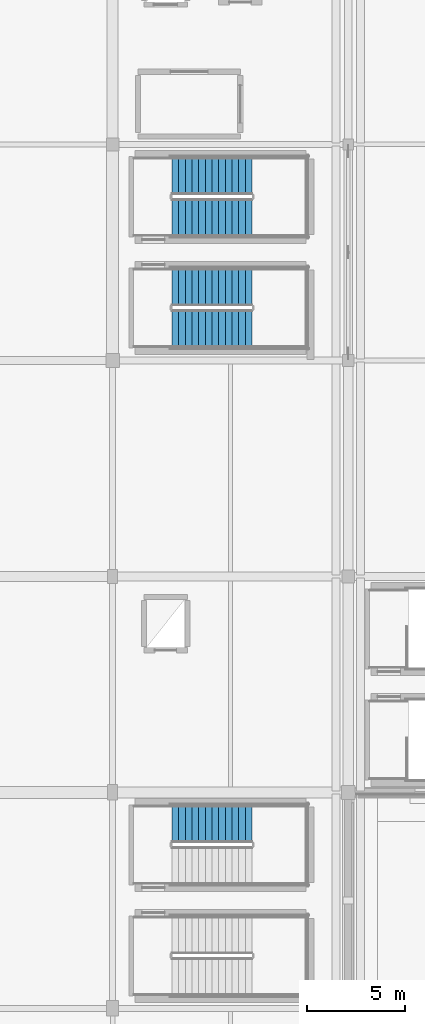
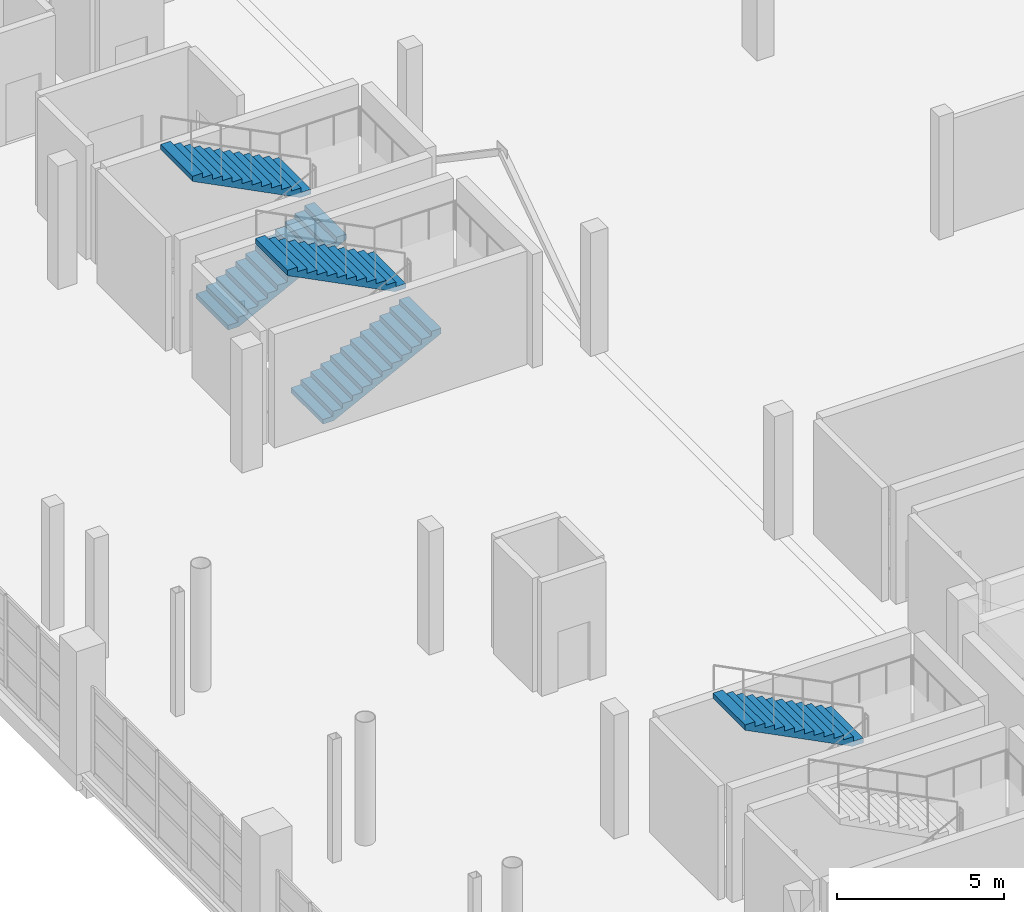
# One storey, part 90 of 118: 5 stair flights, 3 elements without a shape of their own.
"""IFC4 building model written with IfcOpenShell, lengths in metres."""

from ifc_helpers import new_model, si_unit, direction, frame, origin, place, context, subcontext, project, spatial, polyline, outline, extrude, material, layer, layer_set, type_object, element, aggregate, save


model = new_model("IFC4")

# Units and contexts
model_context = context("Model", 3, precision=1e-05, world=origin(), true_north=direction((0.0, 1.0)))
body_context = subcontext(model_context, "Body", "Model", "MODEL_VIEW")
ifc_project = project(units=[si_unit("LENGTHUNIT", "METRE"), si_unit("AREAUNIT", "SQUARE_METRE"), si_unit("VOLUMEUNIT", "CUBIC_METRE"), si_unit("PLANEANGLEUNIT", "RADIAN"), si_unit("MASSUNIT", "GRAM", prefix="KILO")], contexts=[model_context])

# Site, building, storey
site_placement = place(None, origin())
site = spatial("IfcSite", under=ifc_project, at=site_placement, CompositionType="ELEMENT")
building_placement = place(site_placement, origin())
building = spatial("IfcBuilding", under=site, at=building_placement, Name="Luwafu Chhajja Arena", CompositionType="ELEMENT")
storey_placement = place(building_placement, frame((0.0, 0.0, 10.199951171875)))
storey = spatial("IfcBuildingStorey", under=building, at=storey_placement, Name="L02", CompositionType="ELEMENT", Elevation=10.199951171875)

# Stair, stair flights
ifc_material = material(Name="Concrete C35/45", Category="concrete")
stair_type = type_object("IfcStairType", Name="Quadrant Protected Dog-Leg Stair 1920", PredefinedType="HALF_TURN_STAIR", material=ifc_material)
stair_1_placement = place(storey_placement, origin())
stair_1 = element("IfcStair", 1, at=stair_1_placement, inside=storey, type_object=stair_type, Name="L02 Protected Escape Stair ST-07", PredefinedType="HALF_TURN_STAIR")
ifc_layer = layer(ifc_material, 0.169921875, Name="Concrete C35/45")
ifc_layer_set = layer_set([ifc_layer], Name="Concrete C35/45")
stair_flight_type = type_object("IfcStairFlightType", Name="RC Escape Stair Flight 1920", PredefinedType="STRAIGHT", material=ifc_layer_set)
stair_flight_1_placement = place(storey_placement, frame((155.02001953125, 78.610107421875, 0.0), z_axis=(0.0, 0.0, 1.0), x_axis=(1.0, 0.0, 0.0)))
stair_flight_1 = element("IfcStairFlight", 2, at=stair_flight_1_placement, type_object=stair_flight_type, Name="ST-07 flight 1", NumberOfRisers=13, NumberOfTreads=12, PredefinedType="STRAIGHT", RiserHeight=0.173076923, TreadLength=0.34, context=body_context, shape_type="SweptSolid", body=[
    extrude(outline(polyline([(0.0, 0.0), (0.0, 0.173095703125), (0.340087890625, 0.173095703125), (0.340087890625, 0.34619140625), (0.679931640625, 0.34619140625), (0.679931640625, 0.519287109375), (1.02001953125, 0.519287109375), (1.02001953125, 0.6923828125), (1.360107421875, 0.6923828125), (1.360107421875, 0.865478515625), (1.699951171875, 0.865478515625), (1.699951171875, 1.03857421875), (2.0400390625, 1.03857421875), (2.0400390625, 1.21142578125), (2.3798828125, 1.21142578125), (2.3798828125, 1.384521484375), (2.719970703125, 1.384521484375), (2.719970703125, 1.5576171875), (3.06005859375, 1.5576171875), (3.06005859375, 1.730712890625), (3.39990234375, 1.730712890625), (3.39990234375, 1.90380859375), (3.739990234375, 1.90380859375), (3.739990234375, 2.076904296875), (4.080078125, 2.076904296875), (4.080078125, 2.25), (4.080078125, 1.88623046875), (0.37451171875, 0.0), (0.0, 0.0)])), frame((0.0, 0.9599609375, 0.0), z_axis=(0.0, -1.0, 0.0), x_axis=(1.0, 0.0, 0.0)), (0.0, 0.0, 1.0), 1.919921875),
])
stair_flight_2_placement = place(storey_placement, frame((159.10009765625, 80.72998046875, 2.25), z_axis=(0.0, 0.0, 1.0), x_axis=(-1.0, 0.0, 0.0)))
stair_flight_2 = element("IfcStairFlight", 3, at=stair_flight_2_placement, type_object=stair_flight_type, Name="ST-07 flight 2", NumberOfRisers=13, NumberOfTreads=12, PredefinedType="STRAIGHT", RiserHeight=0.173076923, TreadLength=0.34, context=body_context, shape_type="SweptSolid", body=[
    extrude(outline(polyline([(0.0, 0.0), (0.0, 0.173095703125), (0.340087890625, 0.173095703125), (0.340087890625, 0.34619140625), (0.679931640625, 0.34619140625), (0.679931640625, 0.519287109375), (1.02001953125, 0.519287109375), (1.02001953125, 0.6923828125), (1.360107421875, 0.6923828125), (1.360107421875, 0.865478515625), (1.699951171875, 0.865478515625), (1.699951171875, 1.03857421875), (2.0400390625, 1.03857421875), (2.0400390625, 1.21142578125), (2.3798828125, 1.21142578125), (2.3798828125, 1.384521484375), (2.719970703125, 1.384521484375), (2.719970703125, 1.5576171875), (3.06005859375, 1.5576171875), (3.06005859375, 1.730712890625), (3.39990234375, 1.730712890625), (3.39990234375, 1.90380859375), (3.739990234375, 1.90380859375), (3.739990234375, 2.076904296875), (4.080078125, 2.076904296875), (4.080078125, 2.25), (4.080078125, 1.88623046875), (0.37451171875, 0.0), (0.0, 0.0)])), frame((0.0, 0.9599609375, 0.0), z_axis=(0.0, -1.0, 0.0), x_axis=(1.0, 0.0, 0.0)), (0.0, 0.0, 1.0), 1.919921875),
])
aggregate(stair_1, [stair_flight_1, stair_flight_2])

stair_2_placement = place(storey_placement, origin())
stair_2 = element("IfcStair", 4, at=stair_2_placement, inside=storey, type_object=stair_type, Name="L02 Protected Escape Stair ST-08", PredefinedType="HALF_TURN_STAIR")
stair_flight_3_placement = place(storey_placement, frame((155.02001953125, 84.27001953125, 0.0), z_axis=(0.0, 0.0, 1.0), x_axis=(1.0, 0.0, 0.0)))
stair_flight_3 = element("IfcStairFlight", 5, at=stair_flight_3_placement, type_object=stair_flight_type, Name="ST-08 flight 1", NumberOfRisers=13, NumberOfTreads=12, PredefinedType="STRAIGHT", RiserHeight=0.173076923, TreadLength=0.34, context=body_context, shape_type="SweptSolid", body=[
    extrude(outline(polyline([(0.0, 0.0), (0.0, 0.173095703125), (0.340087890625, 0.173095703125), (0.340087890625, 0.34619140625), (0.679931640625, 0.34619140625), (0.679931640625, 0.519287109375), (1.02001953125, 0.519287109375), (1.02001953125, 0.6923828125), (1.360107421875, 0.6923828125), (1.360107421875, 0.865478515625), (1.699951171875, 0.865478515625), (1.699951171875, 1.03857421875), (2.0400390625, 1.03857421875), (2.0400390625, 1.21142578125), (2.3798828125, 1.21142578125), (2.3798828125, 1.384521484375), (2.719970703125, 1.384521484375), (2.719970703125, 1.5576171875), (3.06005859375, 1.5576171875), (3.06005859375, 1.730712890625), (3.39990234375, 1.730712890625), (3.39990234375, 1.90380859375), (3.739990234375, 1.90380859375), (3.739990234375, 2.076904296875), (4.080078125, 2.076904296875), (4.080078125, 2.25), (4.080078125, 1.88623046875), (0.37451171875, 0.0), (0.0, 0.0)])), frame((0.0, 0.9599609375, 0.0), z_axis=(0.0, -1.0, 0.0), x_axis=(1.0, 0.0, 0.0)), (0.0, 0.0, 1.0), 1.919921875),
])
stair_flight_4_placement = place(storey_placement, frame((159.10009765625, 86.389892578125, 2.25), z_axis=(0.0, 0.0, 1.0), x_axis=(-1.0, 0.0, 0.0)))
stair_flight_4 = element("IfcStairFlight", 6, at=stair_flight_4_placement, type_object=stair_flight_type, Name="ST-08 flight 2", NumberOfRisers=13, NumberOfTreads=12, PredefinedType="STRAIGHT", RiserHeight=0.173076923, TreadLength=0.34, context=body_context, shape_type="SweptSolid", body=[
    extrude(outline(polyline([(0.0, 0.0), (0.0, 0.173095703125), (0.340087890625, 0.173095703125), (0.340087890625, 0.34619140625), (0.679931640625, 0.34619140625), (0.679931640625, 0.519287109375), (1.02001953125, 0.519287109375), (1.02001953125, 0.6923828125), (1.360107421875, 0.6923828125), (1.360107421875, 0.865478515625), (1.699951171875, 0.865478515625), (1.699951171875, 1.03857421875), (2.0400390625, 1.03857421875), (2.0400390625, 1.21142578125), (2.3798828125, 1.21142578125), (2.3798828125, 1.384521484375), (2.719970703125, 1.384521484375), (2.719970703125, 1.5576171875), (3.06005859375, 1.5576171875), (3.06005859375, 1.730712890625), (3.39990234375, 1.730712890625), (3.39990234375, 1.90380859375), (3.739990234375, 1.90380859375), (3.739990234375, 2.076904296875), (4.080078125, 2.076904296875), (4.080078125, 2.25), (4.080078125, 1.88623046875), (0.37451171875, 0.0), (0.0, 0.0)])), frame((0.0, 0.9599609375, 0.0), z_axis=(0.0, -1.0, 0.0), x_axis=(1.0, 0.0, 0.0)), (0.0, 0.0, 1.0), 1.919921875),
])
aggregate(stair_2, [stair_flight_3, stair_flight_4])

# Stair, stair flight
stair_3_placement = place(storey_placement, origin())
stair_3 = element("IfcStair", 7, at=stair_3_placement, inside=storey, type_object=stair_type, Name="L02 Protected Escape Stair ST-12", PredefinedType="HALF_TURN_STAIR")
stair_flight_5_placement = place(storey_placement, frame((159.10009765625, 53.389892578125, 2.25), z_axis=(0.0, 0.0, 1.0), x_axis=(-1.0, 0.0, 0.0)))
stair_flight_5 = element("IfcStairFlight", 8, at=stair_flight_5_placement, type_object=stair_flight_type, Name="ST-12 flight 2", NumberOfRisers=13, NumberOfTreads=12, PredefinedType="STRAIGHT", RiserHeight=0.173076923, TreadLength=0.34, context=body_context, shape_type="SweptSolid", body=[
    extrude(outline(polyline([(0.0, 0.0), (0.0, 0.173095703125), (0.340087890625, 0.173095703125), (0.340087890625, 0.34619140625), (0.679931640625, 0.34619140625), (0.679931640625, 0.519287109375), (1.02001953125, 0.519287109375), (1.02001953125, 0.6923828125), (1.360107421875, 0.6923828125), (1.360107421875, 0.865478515625), (1.699951171875, 0.865478515625), (1.699951171875, 1.03857421875), (2.0400390625, 1.03857421875), (2.0400390625, 1.21142578125), (2.3798828125, 1.21142578125), (2.3798828125, 1.384521484375), (2.719970703125, 1.384521484375), (2.719970703125, 1.5576171875), (3.06005859375, 1.5576171875), (3.06005859375, 1.730712890625), (3.39990234375, 1.730712890625), (3.39990234375, 1.90380859375), (3.739990234375, 1.90380859375), (3.739990234375, 2.076904296875), (4.080078125, 2.076904296875), (4.080078125, 2.25), (4.080078125, 1.88623046875), (0.37451171875, 0.0), (0.0, 0.0)])), frame((0.0, 0.9599609375, 0.0), z_axis=(0.0, -1.0, 0.0), x_axis=(1.0, 0.0, 0.0)), (0.0, 0.0, 1.0), 1.919921875),
])
aggregate(stair_3, [stair_flight_5])

save(model, "model.ifc")
